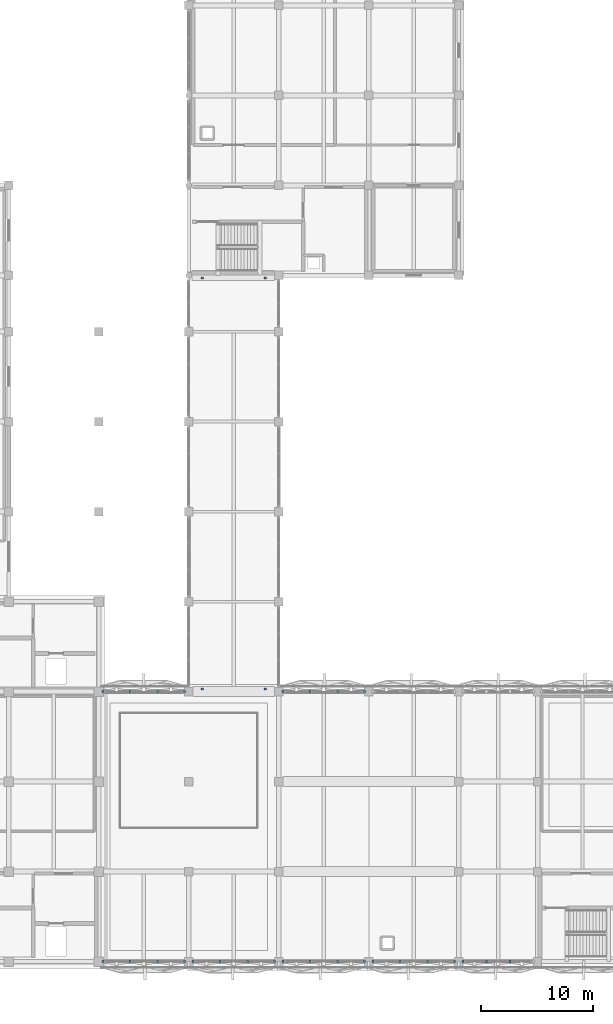
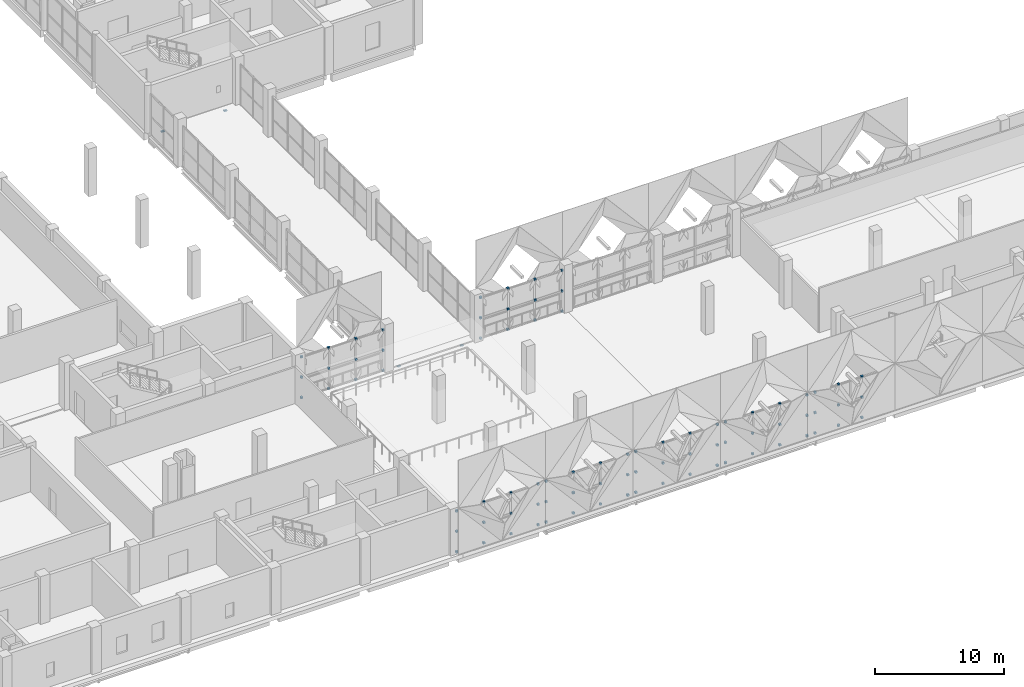
# One storey, part 38 of 53: 85 discrete accessories.
"""IFC4 building model written with IfcOpenShell, lengths in metres."""

from ifc_helpers import new_model, si_unit, direction, frame, origin, origin_2d, place, context, subcontext, project, spatial, rectangle, extrude, material, type_object, element, save


model = new_model("IFC4")

# Units and contexts
model_context = context("Model", 3, precision=1e-05, world=origin(), true_north=direction((0.0, 1.0)))
body_context = subcontext(model_context, "Body", "Model", "MODEL_VIEW")
ifc_project = project(units=[si_unit("LENGTHUNIT", "METRE"), si_unit("AREAUNIT", "SQUARE_METRE"), si_unit("VOLUMEUNIT", "CUBIC_METRE"), si_unit("PLANEANGLEUNIT", "RADIAN"), si_unit("MASSUNIT", "GRAM", prefix="KILO")], contexts=[model_context])

# Site, building, storey
site_placement = place(None, origin())
site = spatial("IfcSite", under=ifc_project, at=site_placement, CompositionType="ELEMENT")
building_placement = place(site_placement, origin())
building = spatial("IfcBuilding", under=site, at=building_placement, Name="Qorikala Patio Media Centre", CompositionType="ELEMENT")
storey_placement = place(building_placement, frame((0.0, 0.0, 5.39990234375)))
storey = spatial("IfcBuildingStorey", under=building, at=storey_placement, Name="L01", CompositionType="ELEMENT", Elevation=5.39990234375)

# Discrete accessories
ifc_material_1 = material(Name="PTFE Elastomeric and Steel S355", Category="steel")
discrete_accessory_type_1 = type_object("IfcDiscreteAccessoryType", Name="ACC-BEARING", PredefinedType="SHOE", material=ifc_material_1)
for number, where, z_axis, x_axis, name in (
    (1, (52.199951171875, 27.22509765625, -0.300048828125), (0.0, 0.0, 1.0), (1.0, 0.0, 0.0), "L01 Skybridge Sliding Bearing S1"),
    (2, (57.800048828125, 27.22509765625, -0.300048828125), (0.0, 0.0, 1.0), (1.0, 0.0, 0.0), "L01 Skybridge Sliding Bearing S2"),
    (3, (52.199951171875, 63.77490234375, -0.300048828125), (0.0, 0.0, 1.0), (1.0, 0.0, 0.0), "L01 Skybridge Sliding Bearing N1"),
    (4, (57.800048828125, 63.77490234375, -0.300048828125), (0.0, 0.0, 1.0), (1.0, 0.0, 0.0), "L01 Skybridge Sliding Bearing N2"),
):
    element("IfcDiscreteAccessory", number, at=place(storey_placement, frame(where, z_axis=z_axis, x_axis=x_axis)), inside=storey, type_object=discrete_accessory_type_1, Name=name, PredefinedType="SHOE", context=body_context, shape_type="SweptSolid", body=[
        extrude(rectangle(XDim=0.25, YDim=0.179931640625, at=origin_2d()), origin(), (0.0, 0.0, 1.0), 0.080078125),
    ])
ifc_material_2 = material(Name="Steel S355", Category="steel")
discrete_accessory_type_2 = type_object("IfcDiscreteAccessoryType", Name="ACC-BRACKET", PredefinedType="BRACKET", material=ifc_material_2)
for number, where, z_axis, x_axis, name in (
    (5, (43.360107421875, 27.0, -0.08984375), (0.0, 0.0, 1.0), (1.0, 0.0, 0.0), "L01 Brace End Bolted Connection Bracket 0223"),
    (6, (45.78662109375, 27.0, -0.08984375), (0.0, 0.0, 1.0), (1.0, 0.0, 0.0), "L01 Brace End Bolted Connection Bracket 0224"),
    (7, (43.360107421875, 27.0, 3.76025390625), (0.0, 0.0, 1.0), (1.0, 0.0, 0.0), "L01 Brace End Bolted Connection Bracket 0225"),
    (8, (45.78662109375, 27.0, 3.76025390625), (0.0, 0.0, 1.0), (1.0, 0.0, 0.0), "L01 Brace End Bolted Connection Bracket 0226"),
    (9, (43.360107421875, 27.0, 1.8349609375), (0.0, 0.0, 1.0), (1.0, 0.0, 0.0), "L01 Brace End Bolted Connection Bracket 0227"),
    (10, (45.78662109375, 27.0, 1.8349609375), (0.0, 0.0, 1.0), (1.0, 0.0, 0.0), "L01 Brace End Bolted Connection Bracket 0228"),
    (11, (48.21337890625, 27.0, -0.08984375), (0.0, 0.0, 1.0), (1.0, 0.0, 0.0), "L01 Brace End Bolted Connection Bracket 0229"),
    (12, (48.21337890625, 27.0, 3.76025390625), (0.0, 0.0, 1.0), (1.0, 0.0, 0.0), "L01 Brace End Bolted Connection Bracket 0230"),
    (13, (48.21337890625, 27.0, 1.8349609375), (0.0, 0.0, 1.0), (1.0, 0.0, 0.0), "L01 Brace End Bolted Connection Bracket 0231"),
    (14, (50.639892578125, 27.0, -0.08984375), (0.0, 0.0, 1.0), (1.0, 0.0, 0.0), "L01 Brace End Bolted Connection Bracket 0232"),
    (15, (50.639892578125, 27.0, 3.76025390625), (0.0, 0.0, 1.0), (1.0, 0.0, 0.0), "L01 Brace End Bolted Connection Bracket 0233"),
    (16, (50.639892578125, 27.0, 1.8349609375), (0.0, 0.0, 1.0), (1.0, 0.0, 0.0), "L01 Brace End Bolted Connection Bracket 0234"),
    (17, (59.360107421875, 27.0, -0.08984375), (0.0, 0.0, 1.0), (1.0, 0.0, 0.0), "L01 Brace End Bolted Connection Bracket 0235"),
    (18, (61.78662109375, 27.0, -0.08984375), (0.0, 0.0, 1.0), (1.0, 0.0, 0.0), "L01 Brace End Bolted Connection Bracket 0236"),
    (19, (59.360107421875, 27.0, 3.76025390625), (0.0, 0.0, 1.0), (1.0, 0.0, 0.0), "L01 Brace End Bolted Connection Bracket 0237"),
    (20, (61.78662109375, 27.0, 3.76025390625), (0.0, 0.0, 1.0), (1.0, 0.0, 0.0), "L01 Brace End Bolted Connection Bracket 0238"),
    (21, (59.360107421875, 27.0, 1.8349609375), (0.0, 0.0, 1.0), (1.0, 0.0, 0.0), "L01 Brace End Bolted Connection Bracket 0239"),
    (22, (61.78662109375, 27.0, 1.8349609375), (0.0, 0.0, 1.0), (1.0, 0.0, 0.0), "L01 Brace End Bolted Connection Bracket 0240"),
    (23, (64.21337890625, 27.0, -0.08984375), (0.0, 0.0, 1.0), (1.0, 0.0, 0.0), "L01 Brace End Bolted Connection Bracket 0241"),
    (24, (64.21337890625, 27.0, 3.76025390625), (0.0, 0.0, 1.0), (1.0, 0.0, 0.0), "L01 Brace End Bolted Connection Bracket 0242"),
    (25, (64.21337890625, 27.0, 1.8349609375), (0.0, 0.0, 1.0), (1.0, 0.0, 0.0), "L01 Brace End Bolted Connection Bracket 0243"),
    (26, (66.639892578125, 27.0, -0.08984375), (0.0, 0.0, 1.0), (1.0, 0.0, 0.0), "L01 Brace End Bolted Connection Bracket 0244"),
    (27, (66.639892578125, 27.0, 3.76025390625), (0.0, 0.0, 1.0), (1.0, 0.0, 0.0), "L01 Brace End Bolted Connection Bracket 0245"),
    (28, (66.639892578125, 27.0, 1.8349609375), (0.0, 0.0, 1.0), (1.0, 0.0, 0.0), "L01 Brace End Bolted Connection Bracket 0246"),
    (29, (79.546630859375, 3.0, -0.08984375), (0.0, 0.0, 1.0), (1.0, 0.0, 0.0), "L01 Brace End Bolted Connection Bracket 0296"),
    (30, (79.546630859375, 3.0, 3.76025390625), (0.0, 0.0, 1.0), (1.0, 0.0, 0.0), "L01 Brace End Bolted Connection Bracket 0298"),
    (31, (79.546630859375, 3.0, 1.8349609375), (0.0, 0.0, 1.0), (1.0, 0.0, 0.0), "L01 Brace End Bolted Connection Bracket 0300"),
    (32, (77.453369140625, 3.0, -0.08984375), (0.0, 0.0, 1.0), (1.0, 0.0, 0.0), "L01 Brace End Bolted Connection Bracket 0301"),
    (33, (77.453369140625, 3.0, 3.76025390625), (0.0, 0.0, 1.0), (1.0, 0.0, 0.0), "L01 Brace End Bolted Connection Bracket 0302"),
    (34, (77.453369140625, 3.0, 1.8349609375), (0.0, 0.0, 1.0), (1.0, 0.0, 0.0), "L01 Brace End Bolted Connection Bracket 0303"),
    (35, (75.360107421875, 3.0, -0.08984375), (0.0, 0.0, 1.0), (1.0, 0.0, 0.0), "L01 Brace End Bolted Connection Bracket 0304"),
    (36, (75.360107421875, 3.0, 3.76025390625), (0.0, 0.0, 1.0), (1.0, 0.0, 0.0), "L01 Brace End Bolted Connection Bracket 0305"),
    (37, (75.360107421875, 3.0, 1.8349609375), (0.0, 0.0, 1.0), (1.0, 0.0, 0.0), "L01 Brace End Bolted Connection Bracket 0306"),
    (38, (74.639892578125, 3.0, -0.08984375), (0.0, 0.0, 1.0), (1.0, 0.0, 0.0), "L01 Brace End Bolted Connection Bracket 0307"),
    (39, (72.21337890625, 3.0, -0.08984375), (0.0, 0.0, 1.0), (1.0, 0.0, 0.0), "L01 Brace End Bolted Connection Bracket 0308"),
    (40, (74.639892578125, 3.0, 3.76025390625), (0.0, 0.0, 1.0), (1.0, 0.0, 0.0), "L01 Brace End Bolted Connection Bracket 0309"),
    (41, (72.21337890625, 3.0, 3.76025390625), (0.0, 0.0, 1.0), (1.0, 0.0, 0.0), "L01 Brace End Bolted Connection Bracket 0310"),
    (42, (74.639892578125, 3.0, 1.8349609375), (0.0, 0.0, 1.0), (1.0, 0.0, 0.0), "L01 Brace End Bolted Connection Bracket 0311"),
    (43, (72.21337890625, 3.0, 1.8349609375), (0.0, 0.0, 1.0), (1.0, 0.0, 0.0), "L01 Brace End Bolted Connection Bracket 0312"),
    (44, (69.78662109375, 3.0, -0.08984375), (0.0, 0.0, 1.0), (1.0, 0.0, 0.0), "L01 Brace End Bolted Connection Bracket 0313"),
    (45, (69.78662109375, 3.0, 3.76025390625), (0.0, 0.0, 1.0), (1.0, 0.0, 0.0), "L01 Brace End Bolted Connection Bracket 0314"),
    (46, (69.78662109375, 3.0, 1.8349609375), (0.0, 0.0, 1.0), (1.0, 0.0, 0.0), "L01 Brace End Bolted Connection Bracket 0315"),
    (47, (67.360107421875, 3.0, -0.08984375), (0.0, 0.0, 1.0), (1.0, 0.0, 0.0), "L01 Brace End Bolted Connection Bracket 0316"),
    (48, (67.360107421875, 3.0, 3.76025390625), (0.0, 0.0, 1.0), (1.0, 0.0, 0.0), "L01 Brace End Bolted Connection Bracket 0317"),
    (49, (67.360107421875, 3.0, 1.8349609375), (0.0, 0.0, 1.0), (1.0, 0.0, 0.0), "L01 Brace End Bolted Connection Bracket 0318"),
    (50, (66.639892578125, 3.0, -0.08984375), (0.0, 0.0, 1.0), (1.0, 0.0, 0.0), "L01 Brace End Bolted Connection Bracket 0319"),
    (51, (64.21337890625, 3.0, -0.08984375), (0.0, 0.0, 1.0), (1.0, 0.0, 0.0), "L01 Brace End Bolted Connection Bracket 0320"),
    (52, (66.639892578125, 3.0, 3.76025390625), (0.0, 0.0, 1.0), (1.0, 0.0, 0.0), "L01 Brace End Bolted Connection Bracket 0321"),
    (53, (64.21337890625, 3.0, 3.76025390625), (0.0, 0.0, 1.0), (1.0, 0.0, 0.0), "L01 Brace End Bolted Connection Bracket 0322"),
    (54, (66.639892578125, 3.0, 1.8349609375), (0.0, 0.0, 1.0), (1.0, 0.0, 0.0), "L01 Brace End Bolted Connection Bracket 0323"),
    (55, (64.21337890625, 3.0, 1.8349609375), (0.0, 0.0, 1.0), (1.0, 0.0, 0.0), "L01 Brace End Bolted Connection Bracket 0324"),
    (56, (61.78662109375, 3.0, -0.08984375), (0.0, 0.0, 1.0), (1.0, 0.0, 0.0), "L01 Brace End Bolted Connection Bracket 0325"),
    (57, (61.78662109375, 3.0, 3.76025390625), (0.0, 0.0, 1.0), (1.0, 0.0, 0.0), "L01 Brace End Bolted Connection Bracket 0326"),
    (58, (61.78662109375, 3.0, 1.8349609375), (0.0, 0.0, 1.0), (1.0, 0.0, 0.0), "L01 Brace End Bolted Connection Bracket 0327"),
    (59, (59.360107421875, 3.0, -0.08984375), (0.0, 0.0, 1.0), (1.0, 0.0, 0.0), "L01 Brace End Bolted Connection Bracket 0328"),
    (60, (59.360107421875, 3.0, 3.76025390625), (0.0, 0.0, 1.0), (1.0, 0.0, 0.0), "L01 Brace End Bolted Connection Bracket 0329"),
    (61, (59.360107421875, 3.0, 1.8349609375), (0.0, 0.0, 1.0), (1.0, 0.0, 0.0), "L01 Brace End Bolted Connection Bracket 0330"),
    (62, (58.639892578125, 3.0, -0.08984375), (0.0, 0.0, 1.0), (1.0, 0.0, 0.0), "L01 Brace End Bolted Connection Bracket 0331"),
    (63, (56.21337890625, 3.0, -0.08984375), (0.0, 0.0, 1.0), (1.0, 0.0, 0.0), "L01 Brace End Bolted Connection Bracket 0332"),
    (64, (58.639892578125, 3.0, 3.76025390625), (0.0, 0.0, 1.0), (1.0, 0.0, 0.0), "L01 Brace End Bolted Connection Bracket 0333"),
    (65, (56.21337890625, 3.0, 3.76025390625), (0.0, 0.0, 1.0), (1.0, 0.0, 0.0), "L01 Brace End Bolted Connection Bracket 0334"),
    (66, (58.639892578125, 3.0, 1.8349609375), (0.0, 0.0, 1.0), (1.0, 0.0, 0.0), "L01 Brace End Bolted Connection Bracket 0335"),
    (67, (56.21337890625, 3.0, 1.8349609375), (0.0, 0.0, 1.0), (1.0, 0.0, 0.0), "L01 Brace End Bolted Connection Bracket 0336"),
    (68, (53.78662109375, 3.0, -0.08984375), (0.0, 0.0, 1.0), (1.0, 0.0, 0.0), "L01 Brace End Bolted Connection Bracket 0337"),
    (69, (53.78662109375, 3.0, 3.76025390625), (0.0, 0.0, 1.0), (1.0, 0.0, 0.0), "L01 Brace End Bolted Connection Bracket 0338"),
    (70, (53.78662109375, 3.0, 1.8349609375), (0.0, 0.0, 1.0), (1.0, 0.0, 0.0), "L01 Brace End Bolted Connection Bracket 0339"),
    (71, (51.360107421875, 3.0, -0.08984375), (0.0, 0.0, 1.0), (1.0, 0.0, 0.0), "L01 Brace End Bolted Connection Bracket 0340"),
    (72, (51.360107421875, 3.0, 3.76025390625), (0.0, 0.0, 1.0), (1.0, 0.0, 0.0), "L01 Brace End Bolted Connection Bracket 0341"),
    (73, (51.360107421875, 3.0, 1.8349609375), (0.0, 0.0, 1.0), (1.0, 0.0, 0.0), "L01 Brace End Bolted Connection Bracket 0342"),
    (74, (50.639892578125, 3.0, -0.08984375), (0.0, 0.0, 1.0), (1.0, 0.0, 0.0), "L01 Brace End Bolted Connection Bracket 0343"),
    (75, (48.21337890625, 3.0, -0.08984375), (0.0, 0.0, 1.0), (1.0, 0.0, 0.0), "L01 Brace End Bolted Connection Bracket 0344"),
    (76, (50.639892578125, 3.0, 3.76025390625), (0.0, 0.0, 1.0), (1.0, 0.0, 0.0), "L01 Brace End Bolted Connection Bracket 0345"),
    (77, (48.21337890625, 3.0, 3.76025390625), (0.0, 0.0, 1.0), (1.0, 0.0, 0.0), "L01 Brace End Bolted Connection Bracket 0346"),
    (78, (50.639892578125, 3.0, 1.8349609375), (0.0, 0.0, 1.0), (1.0, 0.0, 0.0), "L01 Brace End Bolted Connection Bracket 0347"),
    (79, (48.21337890625, 3.0, 1.8349609375), (0.0, 0.0, 1.0), (1.0, 0.0, 0.0), "L01 Brace End Bolted Connection Bracket 0348"),
    (80, (45.78662109375, 3.0, -0.08984375), (0.0, 0.0, 1.0), (1.0, 0.0, 0.0), "L01 Brace End Bolted Connection Bracket 0349"),
    (81, (45.78662109375, 3.0, 3.76025390625), (0.0, 0.0, 1.0), (1.0, 0.0, 0.0), "L01 Brace End Bolted Connection Bracket 0350"),
    (82, (45.78662109375, 3.0, 1.8349609375), (0.0, 0.0, 1.0), (1.0, 0.0, 0.0), "L01 Brace End Bolted Connection Bracket 0351"),
    (83, (43.360107421875, 3.0, -0.08984375), (0.0, 0.0, 1.0), (1.0, 0.0, 0.0), "L01 Brace End Bolted Connection Bracket 0352"),
    (84, (43.360107421875, 3.0, 3.76025390625), (0.0, 0.0, 1.0), (1.0, 0.0, 0.0), "L01 Brace End Bolted Connection Bracket 0353"),
    (85, (43.360107421875, 3.0, 1.8349609375), (0.0, 0.0, 1.0), (1.0, 0.0, 0.0), "L01 Brace End Bolted Connection Bracket 0354"),
):
    element("IfcDiscreteAccessory", number, at=place(storey_placement, frame(where, z_axis=z_axis, x_axis=x_axis)), inside=storey, type_object=discrete_accessory_type_2, Name=name, PredefinedType="BRACKET", context=body_context, shape_type="SweptSolid", body=[
        extrude(rectangle(XDim=0.179931640625, YDim=0.179931640625, at=origin_2d()), origin(), (0.0, 0.0, 1.0), 0.179931640625),
    ])

save(model, "model.ifc")
